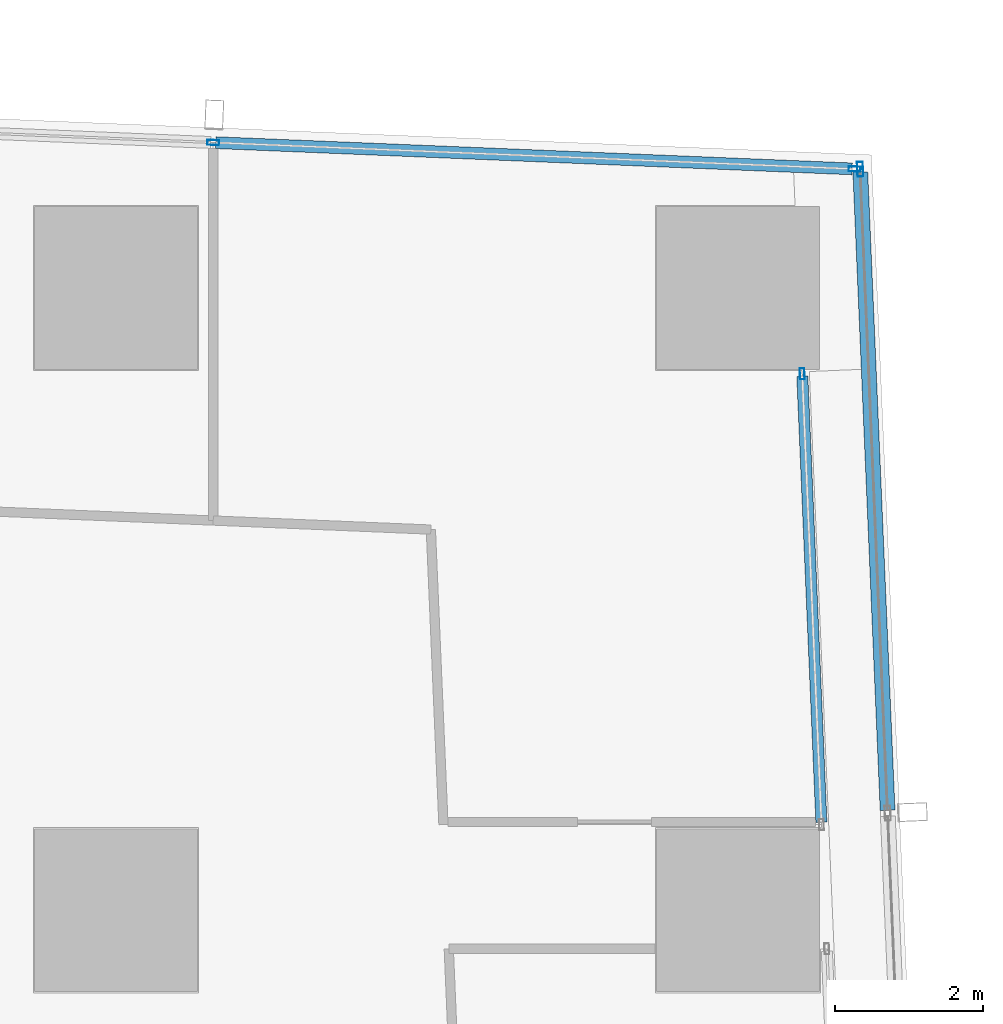
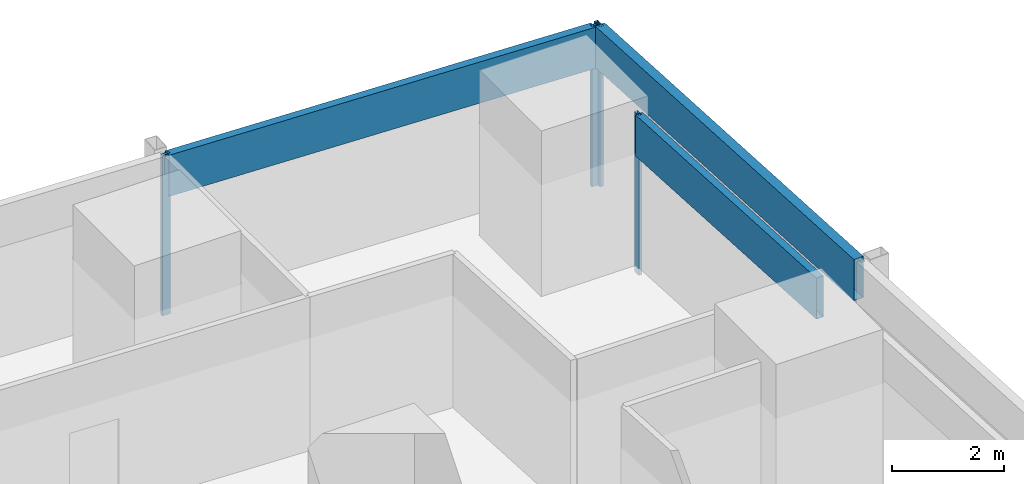
# One storey, part 23 of 44: 7 members, 3 elements without a shape of their own.
"""IFC4 building model written with IfcOpenShell, lengths in metres."""

from ifc_helpers import new_model, si_unit, direction, frame, origin, origin_2d, place, context, subcontext, project, spatial, hollow_rectangle, extrude, material, material_profile, profile_set, type_object, element, aggregate, save


model = new_model("IFC4")

# Units and contexts
model_context = context("Model", 3, precision=1e-05, world=origin(), true_north=direction((0.0, 1.0)))
body_context = subcontext(model_context, "Body", "Model", "MODEL_VIEW")
ifc_project = project(units=[si_unit("LENGTHUNIT", "METRE"), si_unit("AREAUNIT", "SQUARE_METRE"), si_unit("VOLUMEUNIT", "CUBIC_METRE"), si_unit("PLANEANGLEUNIT", "RADIAN"), si_unit("MASSUNIT", "GRAM", prefix="KILO")], contexts=[model_context])

# Site, building, storey
site_placement = place(None, origin())
site = spatial("IfcSite", under=ifc_project, at=site_placement, CompositionType="ELEMENT")
building_placement = place(site_placement, origin())
building = spatial("IfcBuilding", under=site, at=building_placement, Name="Rekha Terrace Tower", CompositionType="ELEMENT")
storey_placement = place(building_placement, frame((0.0, 0.0, 62.89990234375)))
storey = spatial("IfcBuildingStorey", under=building, at=storey_placement, Name="L15", CompositionType="ELEMENT", Elevation=62.89990234375)

# Curtain wall, members
ifc_material_1 = material(Name="Aluminium framing", Category="aluminium")
curtain_wall_type_1 = type_object("IfcCurtainWallType", Name="CW1 double skin inner glazing", PredefinedType="USERDEFINED", material=ifc_material_1)
curtain_wall_1_placement = place(storey_placement, origin())
curtain_wall_1 = element("IfcCurtainWall", 1, at=curtain_wall_1_placement, inside=storey, type_object=curtain_wall_type_1, Name="CW1 double skin inner glazing", ObjectType="DOUBLE SKIN INNER GLAZING", PredefinedType="USERDEFINED")
ifc_material_2 = material(Name="Aluminium mullion section", Category="aluminium")
ifc_material_profile_1 = material_profile(ifc_material_2, hollow_rectangle(XDim=0.06494140625, YDim=0.14990234375, WallThickness=0.00390625, at=origin_2d()), Name="AL RHS 65x150")
ifc_profile_set_1 = profile_set([ifc_material_profile_1], Name="Aluminium mullion section")
member_type_1 = type_object("IfcMemberType", Name="CW1 mullion RHS 65 x 150", PredefinedType="MULLION", material=ifc_profile_set_1)
member_1_placement = place(storey_placement, frame((68.0654296875, 57.6435546875, 0.0), z_axis=(0.0, 0.0, 1.0), x_axis=(-0.9990881069, -0.042696073026, 0.0)))
member_1 = element("IfcMember", 2, at=member_1_placement, type_object=member_type_1, Name="CW1 mullion 2", PredefinedType="MULLION", context=body_context, shape_type="SweptSolid", body=[
    extrude(hollow_rectangle(XDim=0.06494140625, YDim=0.14990234375, WallThickness=0.00390625, at=origin_2d()), origin(), (0.0, 0.0, 1.0), 3.5),
])
ifc_material_3 = material(Name="Insulated aluminium spandrel box", Category="aluminium")
ifc_material_profile_2 = material_profile(ifc_material_3, hollow_rectangle(XDim=0.14990234375, YDim=0.89990234375, WallThickness=0.0029296875, at=origin_2d()), Name="AL SPANDREL BOX 150x900")
ifc_profile_set_2 = profile_set([ifc_material_profile_2], Name="Insulated aluminium spandrel box")
member_type_2 = type_object("IfcMemberType", Name="CW1 spandrel transom 150 x 900", PredefinedType="USERDEFINED", material=ifc_profile_set_2)
member_2_placement = place(storey_placement, frame((68.32421875, 51.5888671875, 3.050048828125), z_axis=(-0.042730627731, 0.999086629604, 0.0), x_axis=(-0.999086629604, -0.042730627731, 0.0)))
member_2 = element("IfcMember", 3, at=member_2_placement, type_object=member_type_2, Name="CW1 spandrel transom 1", ObjectType="TRANSOM", PredefinedType="USERDEFINED", context=body_context, shape_type="SweptSolid", body=[
    extrude(hollow_rectangle(XDim=0.14990234375, YDim=0.89990234375, WallThickness=0.0029296875, at=origin_2d()), origin(), (0.0, 0.0, 1.0), 6.02783203125),
])
aggregate(curtain_wall_1, [member_1, member_2])

curtain_wall_type_2 = type_object("IfcCurtainWallType", Name="CW2 double skin outer glazing", PredefinedType="USERDEFINED", material=ifc_material_1)
curtain_wall_2_placement = place(storey_placement, origin())
curtain_wall_2 = element("IfcCurtainWall", 4, at=curtain_wall_2_placement, inside=storey, type_object=curtain_wall_type_2, Name="CW2 double skin outer glazing", ObjectType="DOUBLE SKIN OUTER GLAZING", PredefinedType="USERDEFINED")
ifc_material_profile_3 = material_profile(ifc_material_2, hollow_rectangle(XDim=0.080078125, YDim=0.199951171875, WallThickness=0.00390625, at=origin_2d()), Name="AL RHS 80x200")
ifc_profile_set_3 = profile_set([ifc_material_profile_3], Name="Aluminium mullion section")
member_type_3 = type_object("IfcMemberType", Name="CW2 mullion RHS 80 x 200", PredefinedType="MULLION", material=ifc_profile_set_3)
member_3_placement = place(storey_placement, frame((68.84814453125, 60.40625, 0.0), z_axis=(0.0, 0.0, 1.0), x_axis=(-0.999088106903, -0.042696072956, 0.0)))
member_3 = element("IfcMember", 5, at=member_3_placement, type_object=member_type_3, Name="CW2 mullion 5", PredefinedType="MULLION", context=body_context, shape_type="SweptSolid", body=[
    extrude(hollow_rectangle(XDim=0.080078125, YDim=0.199951171875, WallThickness=0.00390625, at=origin_2d()), origin(), (0.0, 0.0, 1.0), 3.5),
])
ifc_material_profile_4 = material_profile(ifc_material_3, hollow_rectangle(XDim=0.199951171875, YDim=0.89990234375, WallThickness=0.0029296875, at=origin_2d()), Name="AL SPANDREL BOX 200x900")
ifc_profile_set_4 = profile_set([ifc_material_profile_4], Name="Insulated aluminium spandrel box")
member_type_4 = type_object("IfcMemberType", Name="CW2 spandrel transom 200 x 900", PredefinedType="USERDEFINED", material=ifc_profile_set_4)
member_4_placement = place(storey_placement, frame((69.218017578125, 51.750244140625, 3.050048828125), z_axis=(-0.042691483974, 0.999088303002, 0.0), x_axis=(-0.999088303002, -0.042691483974, 0.0)))
member_4 = element("IfcMember", 6, at=member_4_placement, type_object=member_type_4, Name="CW2 spandrel transom 4", ObjectType="TRANSOM", PredefinedType="USERDEFINED", context=body_context, shape_type="SweptSolid", body=[
    extrude(hollow_rectangle(XDim=0.199951171875, YDim=0.89990234375, WallThickness=0.0029296875, at=origin_2d()), origin(), (0.0, 0.0, 1.0), 8.623779296875),
])
aggregate(curtain_wall_2, [member_3, member_4])

curtain_wall_type_3 = type_object("IfcCurtainWallType", Name="CW3 north unitised glazing", PredefinedType="USERDEFINED", material=ifc_material_1)
curtain_wall_3_placement = place(storey_placement, origin())
curtain_wall_3 = element("IfcCurtainWall", 7, at=curtain_wall_3_placement, inside=storey, type_object=curtain_wall_type_3, Name="CW3 unitised curtain wall", ObjectType="UNITISED CURTAIN WALL", PredefinedType="USERDEFINED")
ifc_material_profile_5 = material_profile(ifc_material_2, hollow_rectangle(XDim=0.070068359375, YDim=0.159912109375, WallThickness=0.00390625, at=origin_2d()), Name="AL RHS 70x160")
ifc_profile_set_5 = profile_set([ifc_material_profile_5], Name="Aluminium mullion section")
member_type_5 = type_object("IfcMemberType", Name="CW3 mullion RHS 70 x 160", PredefinedType="MULLION", material=ifc_profile_set_5)
member_5_placement = place(storey_placement, frame((68.77294921875, 60.4091796875, 0.0), z_axis=(0.0, 0.0, 1.0), x_axis=(-0.041173846041, -0.999151997647, 0.0)))
member_5 = element("IfcMember", 8, at=member_5_placement, type_object=member_type_5, Name="CW3 mullion 1", PredefinedType="MULLION", context=body_context, shape_type="SweptSolid", body=[
    extrude(hollow_rectangle(XDim=0.070068359375, YDim=0.159912109375, WallThickness=0.00390625, at=origin_2d()), origin(), (0.0, 0.0, 1.0), 3.5),
])
member_6_placement = place(storey_placement, frame((60.111572265625, 60.76611328125, 0.0), z_axis=(0.0, 0.0, 1.0), x_axis=(-0.041173846041, -0.999151997647, 0.0)))
member_6 = element("IfcMember", 9, at=member_6_placement, type_object=member_type_5, Name="CW3 mullion 2", PredefinedType="MULLION", context=body_context, shape_type="SweptSolid", body=[
    extrude(hollow_rectangle(XDim=0.070068359375, YDim=0.159912109375, WallThickness=0.00390625, at=origin_2d()), origin(), (0.0, 0.0, 1.0), 3.5),
])
ifc_material_profile_6 = material_profile(ifc_material_3, hollow_rectangle(XDim=0.159912109375, YDim=0.89990234375, WallThickness=0.0029296875, at=origin_2d()), Name="AL SPANDREL BOX 160x900")
ifc_profile_set_6 = profile_set([ifc_material_profile_6], Name="Insulated aluminium spandrel box")
member_type_6 = type_object("IfcMemberType", Name="CW3 spandrel transom 160 x 900", PredefinedType="USERDEFINED", material=ifc_profile_set_6)
member_7_placement = place(storey_placement, frame((68.738037109375, 60.41064453125, 3.050048828125), z_axis=(-0.99915220621, 0.041168784604, 0.0), x_axis=(-0.041168784604, -0.99915220621, 0.0)))
member_7 = element("IfcMember", 10, at=member_7_placement, type_object=member_type_6, Name="CW3 spandrel transom 1", ObjectType="TRANSOM", PredefinedType="USERDEFINED", context=body_context, shape_type="SweptSolid", body=[
    extrude(hollow_rectangle(XDim=0.159912109375, YDim=0.89990234375, WallThickness=0.0029296875, at=origin_2d()), origin(), (0.0, 0.0, 1.0), 8.598876953125),
])
aggregate(curtain_wall_3, [member_5, member_6, member_7])

save(model, "model.ifc")
